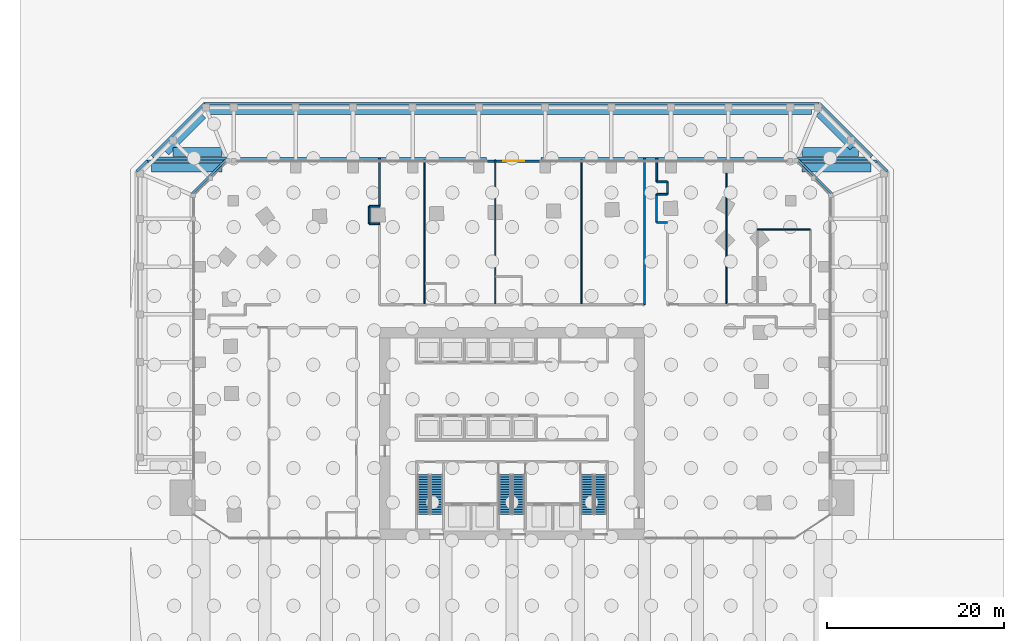
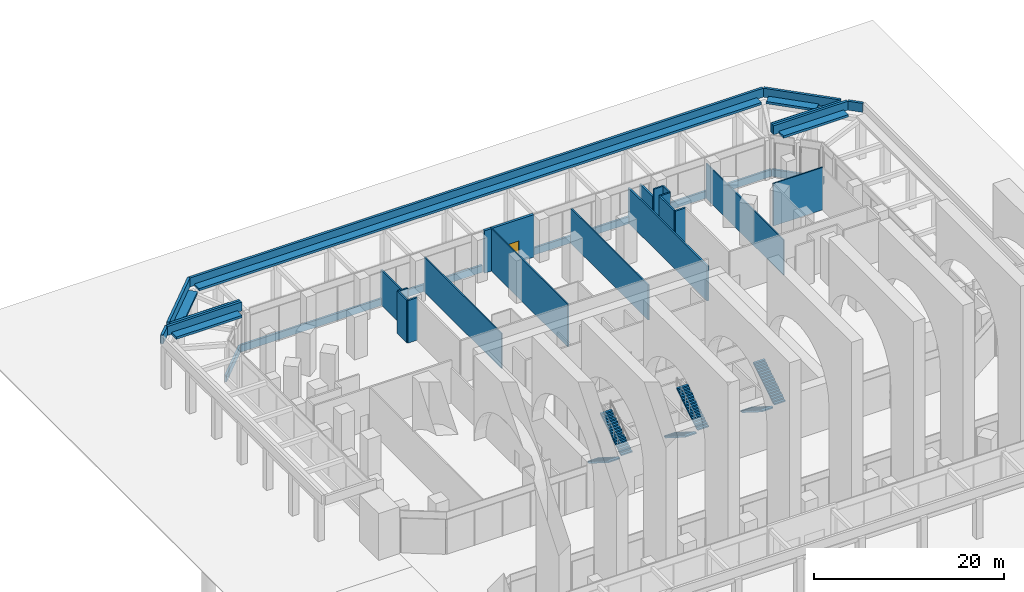
# One storey, part 42 of 46: 37 walls, 6 stair flights, 1 door, 1 opening, 3 elements without a shape of their own.
"""IFC4 building model written with IfcOpenShell, lengths in metres."""

from ifc_helpers import new_model, si_unit, direction, frame, frame_2d, origin, place, context, subcontext, project, spatial, polyline, rectangle, outline, extrude, material, layer, layer_set, type_object, element, fill, aggregate, save


model = new_model("IFC4")

# Units and contexts
model_context = context("Model", 3, precision=1e-05, world=origin(), true_north=direction((0.0, 1.0)))
body_context = subcontext(model_context, "Body", "Model", "MODEL_VIEW")
ifc_project = project(units=[si_unit("LENGTHUNIT", "METRE"), si_unit("AREAUNIT", "SQUARE_METRE"), si_unit("VOLUMEUNIT", "CUBIC_METRE"), si_unit("PLANEANGLEUNIT", "RADIAN"), si_unit("MASSUNIT", "GRAM", prefix="KILO")], contexts=[model_context])

# Site, building, storey
site_placement = place(None, origin())
site = spatial("IfcSite", under=ifc_project, at=site_placement, CompositionType="ELEMENT")
building_placement = place(site_placement, origin())
building = spatial("IfcBuilding", under=site, at=building_placement, Name="Mangrove Gate Tower", CompositionType="ELEMENT")
storey_placement = place(building_placement, origin())
storey = spatial("IfcBuildingStorey", under=building, at=storey_placement, Name="L00", CompositionType="ELEMENT", Elevation=0.0)

# Walls
ifc_material_1 = material(Name="Limestone", Category="masonry")
ifc_layer_1 = layer(ifc_material_1, 0.300048828125, Name="Limestone canopy parapet")
ifc_layer_set_1 = layer_set([ifc_layer_1], Name="Canopy parapet 300 limestone")
wall_type_1 = type_object("IfcWallType", Name="Canopy parapet 300 limestone", PredefinedType="PARAPET", material=ifc_layer_set_1)
wall_1_placement = place(storey_placement, frame((42.506103515625, 29.674072265625, 5.5), z_axis=(0.0, 0.0, 1.0), x_axis=(-0.707183031445, 0.707030522704, 0.0)))
element("IfcWall", 1, at=wall_1_placement, inside=storey, type_object=wall_type_1, Name="Canopy parapet E 0.3", PredefinedType="PARAPET", context=body_context, shape_type="SweptSolid", body=[
    extrude(rectangle(XDim=1.600830078125, YDim=0.300048828125, at=frame_2d((0.80029296875, 0.0))), origin(), (0.0, 0.0, 1.0), 1.14990234375),
])
wall_2_placement = place(storey_placement, frame((41.26806640625, 30.85009765625, 5.5), z_axis=(0.0, 0.0, 1.0), x_axis=(-1.0, 0.0, 0.0)))
element("IfcWall", 2, at=wall_2_placement, inside=storey, type_object=wall_type_1, Name="Canopy parapet E 0.4", PredefinedType="PARAPET", context=body_context, shape_type="SweptSolid", body=[
    extrude(rectangle(XDim=9.0400390625, YDim=0.300048828125, at=frame_2d((4.52001953125, 0.0))), origin(), (0.0, 0.0, 1.0), 1.14990234375),
])
wall_3_placement = place(storey_placement, frame((32.22802734375, 31.14990234375, 5.5), z_axis=(0.0, 0.0, 1.0), x_axis=(1.0, 0.0, 0.0)))
element("IfcWall", 3, at=wall_3_placement, inside=storey, type_object=wall_type_1, Name="Canopy parapet N 0.1", PredefinedType="PARAPET", context=body_context, shape_type="SweptSolid", body=[
    extrude(rectangle(XDim=8.43994140625, YDim=0.300048828125, at=frame_2d((4.219970703125, 0.0))), origin(), (0.0, 0.0, 1.0), 1.14990234375),
])
wall_4_placement = place(storey_placement, frame((40.77392578125, 31.406005859375, 5.5), z_axis=(0.0, 0.0, 1.0), x_axis=(-0.707106781187, 0.707106781187, 0.0)))
element("IfcWall", 4, at=wall_4_placement, inside=storey, type_object=wall_type_1, Name="Canopy parapet N 0.2", PredefinedType="PARAPET", context=body_context, shape_type="SweptSolid", body=[
    extrude(rectangle(XDim=8.34375, YDim=0.300048828125, at=frame_2d((4.171875, 0.0))), origin(), (0.0, 0.0, 1.0), 1.14990234375),
])
wall_5_placement = place(storey_placement, frame((34.76806640625, 37.35009765625, 5.5), z_axis=(0.0, 0.0, 1.0), x_axis=(-1.0, 0.0, 0.0)))
element("IfcWall", 5, at=wall_5_placement, inside=storey, type_object=wall_type_1, Name="Canopy parapet N 0.3", PredefinedType="PARAPET", context=body_context, shape_type="SweptSolid", body=[
    extrude(rectangle(XDim=69.66015625, YDim=0.300048828125, at=frame_2d((34.830078125, 0.0))), origin(), (0.0, 0.0, 1.0), 1.14990234375),
])
wall_6_placement = place(storey_placement, frame((-34.785888671875, 37.39404296875, 5.5), z_axis=(0.0, 0.0, 1.0), x_axis=(-0.707106781187, -0.707106781187, 0.0)))
element("IfcWall", 6, at=wall_6_placement, inside=storey, type_object=wall_type_1, Name="Canopy parapet N 1.1", PredefinedType="PARAPET", context=body_context, shape_type="SweptSolid", body=[
    extrude(rectangle(XDim=8.46826171875, YDim=0.300048828125, at=frame_2d((4.234130859375, 0.0))), origin(), (0.0, 0.0, 1.0), 1.14990234375),
])
wall_7_placement = place(storey_placement, frame((-40.66796875, 31.14990234375, 5.5), z_axis=(0.0, 0.0, 1.0), x_axis=(1.0, 0.0, 0.0)))
element("IfcWall", 7, at=wall_7_placement, inside=storey, type_object=wall_type_1, Name="Canopy parapet N 1.2", PredefinedType="PARAPET", context=body_context, shape_type="SweptSolid", body=[
    extrude(rectangle(XDim=8.43994140625, YDim=0.300048828125, at=frame_2d((4.219970703125, 0.0))), origin(), (0.0, 0.0, 1.0), 1.14990234375),
])
wall_8_placement = place(storey_placement, frame((-32.22802734375, 30.85009765625, 5.5), z_axis=(0.0, 0.0, 1.0), x_axis=(-1.0, 0.0, 0.0)))
element("IfcWall", 8, at=wall_8_placement, inside=storey, type_object=wall_type_1, Name="Canopy parapet W 0.1", PredefinedType="PARAPET", context=body_context, shape_type="SweptSolid", body=[
    extrude(rectangle(XDim=9.1640625, YDim=0.300048828125, at=frame_2d((4.58203125, 0.0))), origin(), (0.0, 0.0, 1.0), 1.14990234375),
])
wall_9_placement = place(storey_placement, frame((-41.285888671875, 30.89404296875, 5.5), z_axis=(0.0, 0.0, 1.0), x_axis=(-0.707177523698, -0.707036031597, 0.0)))
element("IfcWall", 9, at=wall_9_placement, inside=storey, type_object=wall_type_1, Name="Canopy parapet W 1.1", PredefinedType="PARAPET", context=body_context, shape_type="SweptSolid", body=[
    extrude(rectangle(XDim=1.7255859375, YDim=0.300048828125, at=frame_2d((0.86279296875, 0.0))), origin(), (0.0, 0.0, 1.0), 1.14990234375),
])
ifc_material_2 = material(Name="Green roof substrate in aluminium tray", Category="aluminium")
ifc_layer_2 = layer(ifc_material_2, 1.0, Name="Planting bed")
ifc_layer_set_2 = layer_set([ifc_layer_2], Name="Canopy planter bed 1000x300")
wall_type_2 = type_object("IfcWallType", Name="Canopy planter bed 1000x300", PredefinedType="SOLIDWALL", material=ifc_layer_set_2)
wall_10_placement = place(storey_placement, frame((40.66796875, 30.10009765625, 5.5), z_axis=(0.0, 0.0, 1.0), x_axis=(-1.0, 0.0, 0.0)))
element("IfcWall", 10, at=wall_10_placement, inside=storey, type_object=wall_type_2, Name="CANOPY PLANTING E 0.4", PredefinedType="SOLIDWALL", context=body_context, shape_type="SweptSolid", body=[
    extrude(rectangle(XDim=7.840087890625, YDim=1.0, at=frame_2d((3.919921875, 0.0))), origin(), (0.0, 0.0, 1.0), 0.300048828125),
])
wall_11_placement = place(storey_placement, frame((32.827880859375, 31.89990234375, 5.5), z_axis=(0.0, 0.0, 1.0), x_axis=(1.0, 0.0, 0.0)))
element("IfcWall", 11, at=wall_11_placement, inside=storey, type_object=wall_type_2, Name="CANOPY PLANTING N 0.1", PredefinedType="SOLIDWALL", context=body_context, shape_type="SweptSolid", body=[
    extrude(rectangle(XDim=6.39013671875, YDim=1.0, at=frame_2d((3.195068359375, 0.0))), origin(), (0.0, 0.0, 1.0), 0.300048828125),
])
wall_12_placement = place(storey_placement, frame((38.616943359375, 32.501953125, 5.5), z_axis=(0.0, 0.0, 1.0), x_axis=(-0.707084355066, 0.707129206595, 0.0)))
element("IfcWall", 12, at=wall_12_placement, inside=storey, type_object=wall_type_2, Name="CANOPY PLANTING N 0.2", PredefinedType="SOLIDWALL", context=body_context, shape_type="SweptSolid", body=[
    extrude(rectangle(XDim=5.443359375, YDim=1.0, at=frame_2d((2.7216796875, 0.0))), origin(), (0.0, 0.0, 1.0), 0.300048828125),
])
wall_13_placement = place(storey_placement, frame((33.91796875, 36.60009765625, 5.5), z_axis=(0.0, 0.0, 1.0), x_axis=(-1.0, 0.0, 0.0)))
element("IfcWall", 13, at=wall_13_placement, inside=storey, type_object=wall_type_2, Name="CANOPY PLANTING N 0.3", PredefinedType="SOLIDWALL", context=body_context, shape_type="SweptSolid", body=[
    extrude(rectangle(XDim=68.2099609375, YDim=1.0, at=frame_2d((34.10498046875, 0.0))), origin(), (0.0, 0.0, 1.0), 0.300048828125),
])
wall_14_placement = place(storey_placement, frame((-35.032958984375, 36.0859375, 5.5), z_axis=(0.0, 0.0, 1.0), x_axis=(-0.707106781187, -0.707106781187, 0.0)))
element("IfcWall", 14, at=wall_14_placement, inside=storey, type_object=wall_type_2, Name="CANOPY PLANTING N 1.1", PredefinedType="SOLIDWALL", context=body_context, shape_type="SweptSolid", body=[
    extrude(rectangle(XDim=5.91845703125, YDim=1.0, at=frame_2d((2.959228515625, 0.0))), origin(), (0.0, 0.0, 1.0), 0.300048828125),
])
wall_15_placement = place(storey_placement, frame((-38.367919921875, 31.89990234375, 5.5), z_axis=(0.0, 0.0, 1.0), x_axis=(1.0, 0.0, 0.0)))
element("IfcWall", 15, at=wall_15_placement, inside=storey, type_object=wall_type_2, Name="CANOPY PLANTING N 1.2", PredefinedType="SOLIDWALL", context=body_context, shape_type="SweptSolid", body=[
    extrude(rectangle(XDim=5.5400390625, YDim=1.0, at=frame_2d((2.77001953125, 0.0))), origin(), (0.0, 0.0, 1.0), 0.300048828125),
])
wall_16_placement = place(storey_placement, frame((-32.827880859375, 30.10009765625, 5.5), z_axis=(0.0, 0.0, 1.0), x_axis=(-1.0, 0.0, 0.0)))
element("IfcWall", 16, at=wall_16_placement, inside=storey, type_object=wall_type_2, Name="CANOPY PLANTING W 0.1", PredefinedType="SOLIDWALL", context=body_context, shape_type="SweptSolid", body=[
    extrude(rectangle(XDim=7.964111328125, YDim=1.0, at=frame_2d((3.98193359375, 0.0))), origin(), (0.0, 0.0, 1.0), 0.300048828125),
])
ifc_material_3 = material(Name="Gypsum board on steel stud, EI 60", Category="steel")
ifc_layer_3 = layer(ifc_material_3, 0.199951171875)
ifc_layer_set_3 = layer_set([ifc_layer_3], Name="Corridor wall EI 60")
wall_type_3 = type_object("IfcWallType", Name="Corridor wall EI 60", PredefinedType="PARTITIONING", material=ifc_layer_set_3)
wall_17_placement = place(storey_placement, frame((15.0, 14.60009765625, 0.0), z_axis=(0.0, 0.0, 1.0), x_axis=(0.0, 1.0, 0.0)))
element("IfcWall", 17, at=wall_17_placement, inside=storey, type_object=wall_type_3, Name="WALL-L00-023", PredefinedType="PARTITIONING", context=body_context, shape_type="SweptSolid", body=[
    extrude(rectangle(XDim=16.599853515625, YDim=0.199951171875, at=frame_2d((8.2998046875, 0.0))), origin(), (0.0, 0.0, 1.0), 4.489990234375),
])
wall_18_placement = place(storey_placement, frame((-16.14990234375, 23.7490234375, 0.0), z_axis=(0.0, 0.0, 1.0), x_axis=(0.0, 1.0, 0.0)))
element("IfcWall", 18, at=wall_18_placement, inside=storey, type_object=wall_type_3, Name="WALL-L00-032", PredefinedType="PARTITIONING", context=body_context, shape_type="SweptSolid", body=[
    extrude(rectangle(XDim=2.0, YDim=0.199951171875, at=frame_2d((1.0, 0.0))), origin(), (0.0, 0.0, 1.0), 5.449951171875),
])
wall_19_placement = place(storey_placement, frame((-16.153076171875, 23.75, 0.0), z_axis=(0.0, 0.0, 1.0), x_axis=(1.0, 0.0, 0.0)))
element("IfcWall", 19, at=wall_19_placement, inside=storey, type_object=wall_type_3, Name="WALL-L00-033", PredefinedType="PARTITIONING", context=body_context, shape_type="SweptSolid", body=[
    extrude(rectangle(XDim=1.153076171875, YDim=0.199951171875, at=frame_2d((0.57666015625, 0.0))), origin(), (0.0, 0.0, 1.0), 5.449951171875),
])
wall_20_placement = place(storey_placement, frame((16.364013671875, 23.89990234375, 0.0), z_axis=(0.0, 0.0, 1.0), x_axis=(1.0, 0.0, 0.0)))
element("IfcWall", 20, at=wall_20_placement, inside=storey, type_object=wall_type_3, Name="WALL-L00-034", PredefinedType="PARTITIONING", context=body_context, shape_type="SweptSolid", body=[
    extrude(rectangle(XDim=1.236083984375, YDim=0.199951171875, at=frame_2d((0.6181640625, 0.0))), origin(), (0.0, 0.0, 1.0), 5.449951171875),
])
wall_21_placement = place(storey_placement, frame((16.360107421875, 23.90087890625, 0.0), z_axis=(0.0, 0.0, 1.0), x_axis=(0.0, 1.0, 0.0)))
element("IfcWall", 21, at=wall_21_placement, inside=storey, type_object=wall_type_3, Name="WALL-L00-035", PredefinedType="PARTITIONING", context=body_context, shape_type="SweptSolid", body=[
    extrude(rectangle(XDim=3.2001953125, YDim=0.199951171875, at=frame_2d((1.60009765625, 0.0))), origin(), (0.0, 0.0, 1.0), 5.449951171875),
])
wall_22_placement = place(storey_placement, frame((-15.0, 25.7490234375, 0.0), z_axis=(0.0, 0.0, 1.0), x_axis=(0.0, 1.0, 0.0)))
element("IfcWall", 22, at=wall_22_placement, inside=storey, type_object=wall_type_3, Name="WALL-L00-036", PredefinedType="PARTITIONING", context=body_context, shape_type="SweptSolid", body=[
    extrude(rectangle(XDim=5.450927734375, YDim=0.199951171875, at=frame_2d((2.7255859375, 0.0))), origin(), (0.0, 0.0, 1.0), 4.489990234375),
])
wall_23_placement = place(storey_placement, frame((-16.153076171875, 25.75, 0.0), z_axis=(0.0, 0.0, 1.0), x_axis=(1.0, 0.0, 0.0)))
element("IfcWall", 23, at=wall_23_placement, inside=storey, type_object=wall_type_3, Name="WALL-L00-037", PredefinedType="PARTITIONING", context=body_context, shape_type="SweptSolid", body=[
    extrude(rectangle(XDim=1.153076171875, YDim=0.199951171875, at=frame_2d((0.57666015625, 0.0))), origin(), (0.0, 0.0, 1.0), 5.449951171875),
])
wall_24_placement = place(storey_placement, frame((16.364013671875, 27.10009765625, 0.0), z_axis=(0.0, 0.0, 1.0), x_axis=(1.0, 0.0, 0.0)))
element("IfcWall", 24, at=wall_24_placement, inside=storey, type_object=wall_type_3, Name="WALL-L00-038", PredefinedType="PARTITIONING", context=body_context, shape_type="SweptSolid", body=[
    extrude(rectangle(XDim=1.236083984375, YDim=0.199951171875, at=frame_2d((0.6181640625, 0.0))), origin(), (0.0, 0.0, 1.0), 5.449951171875),
])
wall_25_placement = place(storey_placement, frame((17.60009765625, 27.10107421875, 0.0), z_axis=(0.0, 0.0, 1.0), x_axis=(0.0, 1.0, 0.0)))
element("IfcWall", 25, at=wall_25_placement, inside=storey, type_object=wall_type_3, Name="WALL-L00-039", PredefinedType="PARTITIONING", context=body_context, shape_type="SweptSolid", body=[
    extrude(rectangle(XDim=1.39892578125, YDim=0.199951171875, at=frame_2d((0.699462890625, 0.0))), origin(), (0.0, 0.0, 1.0), 5.449951171875),
])
wall_26_placement = place(storey_placement, frame((16.39990234375, 28.5, 0.0), z_axis=(0.0, 0.0, 1.0), x_axis=(1.0, 0.0, 0.0)))
element("IfcWall", 26, at=wall_26_placement, inside=storey, type_object=wall_type_3, Name="WALL-L00-040", PredefinedType="PARTITIONING", context=body_context, shape_type="SweptSolid", body=[
    extrude(rectangle(XDim=1.2001953125, YDim=0.199951171875, at=frame_2d((0.60009765625, 0.0))), origin(), (0.0, 0.0, 1.0), 5.449951171875),
])
wall_27_placement = place(storey_placement, frame((16.39990234375, 28.5, 0.0), z_axis=(0.0, 0.0, 1.0), x_axis=(0.0, 1.0, 0.0)))
element("IfcWall", 27, at=wall_27_placement, inside=storey, type_object=wall_type_3, Name="WALL-L00-041", PredefinedType="PARTITIONING", context=body_context, shape_type="SweptSolid", body=[
    extrude(rectangle(XDim=2.699951171875, YDim=0.199951171875, at=frame_2d((1.35009765625, 0.0))), origin(), (0.0, 0.0, 1.0), 4.489990234375),
])

# Wall, opening, door
ifc_layer_4 = layer(ifc_material_1, 0.0400390625, Name="Limestone cladding")
ifc_material_4 = material(Name="Ventilated air gap")
ifc_layer_5 = layer(ifc_material_4, 0.0400390625, Name="Ventilated cavity")
ifc_material_5 = material(Name="Mineral wool insulation")
ifc_layer_6 = layer(ifc_material_5, 0.06005859375, Name="Insulation")
ifc_material_6 = material(Name="Breather membrane")
ifc_layer_7 = layer(ifc_material_6, 0.001953125, Name="Breather membrane")
ifc_material_7 = material(Name="Concrete C20/25 blockwork", Category="masonry")
ifc_layer_8 = layer(ifc_material_7, 0.14990234375, Name="Blockwork backing wall")
ifc_material_8 = material(Name="Gypsum plaster")
ifc_layer_9 = layer(ifc_material_8, 0.008056640625, Name="Internal plaster")
ifc_layer_set_4 = layer_set([ifc_layer_4, ifc_layer_5, ifc_layer_6, ifc_layer_7, ifc_layer_8, ifc_layer_9], Name="External wall 300 limestone cladding")
wall_type_4 = type_object("IfcWallType", Name="External wall 300 limestone cladding", PredefinedType="SOLIDWALL", material=ifc_layer_set_4)
wall_28_placement = place(storey_placement, frame((3.199951171875, 30.85009765625, 0.0), z_axis=(0.0, 0.0, 1.0), x_axis=(-1.0, 0.0, 0.0)))
wall_28 = element("IfcWall", 28, at=wall_28_placement, inside=storey, type_object=wall_type_4, Name="WALL-L00-N12e", PredefinedType="SOLIDWALL", context=body_context, shape_type="SweptSolid", body=[
    extrude(rectangle(XDim=6.0, YDim=0.300048828125, at=frame_2d((3.0, 0.0))), origin(), (0.0, 0.0, 1.0), 5.449951171875),
])
opening_placement = place(wall_28_placement, frame((1.800048828125, 0.0, 0.0)))
opening = element("IfcOpeningElement", 29, at=opening_placement, cuts=wall_28, Name="Opening ED1", PredefinedType="OPENING", context=body_context, shape_type="SweptSolid", body=[
    extrude(rectangle(XDim=2.39990234375, YDim=2.699951171875, at=frame_2d((1.199951171875, 1.35009765625))), frame((0.0, 0.159912109375, 0.0), z_axis=(0.0, -1.0, 0.0), x_axis=(1.0, 0.0, 0.0)), (0.0, 0.0, 1.0), 0.320068359375),
])
ifc_material_9 = material(Name="Aluminium frame with toughened clear glass", Category="aluminium")
door_type = type_object("IfcDoorType", Name="Entrance door 2400x2700", OperationType="DOUBLE_DOOR_DOUBLE_SWING", PredefinedType="DOOR", material=ifc_material_9)
door_placement = place(opening_placement, origin())
door = element("IfcDoor", 30, at=door_placement, inside=storey, type_object=door_type, Name="DOOR-L00-N12-1", OperationType="DOUBLE_DOOR_DOUBLE_SWING", OverallHeight=2.699951171875, OverallWidth=2.39990234375, PredefinedType="DOOR", context=body_context, shape_type="SweptSolid", body=[
    extrude(rectangle(XDim=2.39990234375, YDim=2.699951171875, at=frame_2d((1.199951171875, 1.35009765625))), frame((0.0, 0.02490234375, 0.0), z_axis=(0.0, -1.0, 0.0), x_axis=(1.0, 0.0, 0.0)), (0.0, 0.0, 1.0), 0.050048828125),
])
fill(opening, door)

# Walls
ifc_material_10 = material(Name="Gypsum board on steel stud, EI 60", Category="steel")
ifc_layer_10 = layer(ifc_material_10, 0.14990234375)
ifc_layer_set_5 = layer_set([ifc_layer_10], Name="Party wall 150 EI 60")
wall_type_5 = type_object("IfcWallType", Name="Party wall 150 EI 60", PredefinedType="PARTITIONING", material=ifc_layer_set_5)
wall_29_placement = place(storey_placement, frame((-9.909912109375, 14.699951171875, 0.0), z_axis=(0.0, 0.0, 1.0), x_axis=(0.0, 1.0, 0.0)))
element("IfcWall", 31, at=wall_29_placement, inside=storey, type_object=wall_type_5, Name="WALL-L00-018", PredefinedType="PARTITIONING", context=body_context, shape_type="SweptSolid", body=[
    extrude(rectangle(XDim=16.300048828125, YDim=0.14990234375, at=frame_2d((8.14990234375, 0.0))), origin(), (0.0, 0.0, 1.0), 4.489990234375),
])
wall_30_placement = place(storey_placement, frame((-1.89990234375, 14.699951171875, 0.0), z_axis=(0.0, 0.0, 1.0), x_axis=(0.0, 1.0, 0.0)))
element("IfcWall", 32, at=wall_30_placement, inside=storey, type_object=wall_type_5, Name="WALL-L00-020", PredefinedType="PARTITIONING", context=body_context, shape_type="SweptSolid", body=[
    extrude(rectangle(XDim=16.300048828125, YDim=0.14990234375, at=frame_2d((8.14990234375, 0.0))), origin(), (0.0, 0.0, 1.0), 5.449951171875),
])
for number, where, z_axis, x_axis, name in (
    (33, (7.8701171875, 14.699951171875, 0.0), (0.0, 0.0, 1.0), (0.0, 1.0, 0.0), "WALL-L00-022"),
    (34, (24.2900390625, 14.699951171875, 0.0), (0.0, 0.0, 1.0), (0.0, 1.0, 0.0), "WALL-L00-026"),
):
    element("IfcWall", number, at=place(storey_placement, frame(where, z_axis=z_axis, x_axis=x_axis)), inside=storey, type_object=wall_type_5, Name=name, PredefinedType="PARTITIONING", context=body_context, shape_type="SweptSolid", body=[
        extrude(rectangle(XDim=16.300048828125, YDim=0.14990234375, at=frame_2d((8.14990234375, 0.0))), origin(), (0.0, 0.0, 1.0), 4.489990234375),
    ])
wall_31_placement = place(storey_placement, frame((27.7900390625, 23.10009765625, 0.0), z_axis=(0.0, 0.0, 1.0), x_axis=(1.0, 0.0, 0.0)))
element("IfcWall", 35, at=wall_31_placement, inside=storey, type_object=wall_type_5, Name="WALL-L00-031", PredefinedType="PARTITIONING", context=body_context, shape_type="SweptSolid", body=[
    extrude(rectangle(XDim=6.0, YDim=0.14990234375, at=frame_2d((3.0, 0.0))), origin(), (0.0, 0.0, 1.0), 5.449951171875),
])
ifc_layer_11 = layer(ifc_material_1, 0.25, Name="Limestone plinth course")
ifc_layer_set_6 = layer_set([ifc_layer_11], Name="Podium plinth 250 limestone")
wall_type_6 = type_object("IfcWallType", Name="Podium plinth 250 limestone", PredefinedType="STANDARD", material=ifc_layer_set_6)
wall_32_placement = place(storey_placement, frame((36.2880859375, 27.087890625, 0.0), z_axis=(0.0, 0.0, 1.0), x_axis=(-0.707106781187, 0.707106781187, 0.0)))
element("IfcWall", 36, at=wall_32_placement, inside=storey, type_object=wall_type_6, Name="Podium plinth E 3", PredefinedType="STANDARD", context=body_context, shape_type="SweptSolid", body=[
    extrude(rectangle(XDim=5.65673828125, YDim=0.25, at=frame_2d((2.828369140625, 0.0))), origin(), (0.0, 0.0, 1.0), 0.89990234375),
])
wall_33_placement = place(storey_placement, frame((32.199951171875, 31.125, 0.0), z_axis=(0.0, 0.0, 1.0), x_axis=(-1.0, 0.0, 0.0)))
element("IfcWall", 37, at=wall_33_placement, inside=storey, type_object=wall_type_6, Name="Podium plinth N 1", PredefinedType="STANDARD", context=body_context, shape_type="SweptSolid", body=[
    extrude(rectangle(XDim=28.89990234375, YDim=0.25, at=frame_2d((14.449951171875, 0.0))), origin(), (0.0, 0.0, 1.0), 0.89990234375),
])
wall_34_placement = place(storey_placement, frame((-2.89990234375, 31.125, 0.0), z_axis=(0.0, 0.0, 1.0), x_axis=(-1.0, 0.0, 0.0)))
element("IfcWall", 38, at=wall_34_placement, inside=storey, type_object=wall_type_6, Name="Podium plinth N 2", PredefinedType="STANDARD", context=body_context, shape_type="SweptSolid", body=[
    extrude(rectangle(XDim=29.300048828125, YDim=0.25, at=frame_2d((14.64990234375, 0.0))), origin(), (0.0, 0.0, 1.0), 0.89990234375),
])
wall_35_placement = place(storey_placement, frame((-32.2880859375, 31.087890625, 0.0), z_axis=(0.0, 0.0, 1.0), x_axis=(-0.707106781187, -0.707106781187, 0.0)))
element("IfcWall", 39, at=wall_35_placement, inside=storey, type_object=wall_type_6, Name="Podium plinth N 3", PredefinedType="STANDARD", context=body_context, shape_type="SweptSolid", body=[
    extrude(rectangle(XDim=5.65673828125, YDim=0.25, at=frame_2d((2.828369140625, 0.0))), origin(), (0.0, 0.0, 1.0), 0.89990234375),
])

# Stair, stair flights
ifc_material_11 = material(Name="Concrete C40/50", Category="concrete")
stair_type = type_object("IfcStairType", Name="Core stair 1350", PredefinedType="HALF_TURN_STAIR", material=ifc_material_11)
stair_1_placement = place(storey_placement, origin())
stair_1 = element("IfcStair", 40, at=stair_1_placement, inside=storey, type_object=stair_type, Name="L00 Stair 1", PredefinedType="HALF_TURN_STAIR")
ifc_material_12 = material(Name="Concrete C40/50", Category="concrete")
stair_flight_type = type_object("IfcStairFlightType", Name="Core stair flight 1350", PredefinedType="STRAIGHT", material=ifc_material_12)
stair_flight_1_placement = place(storey_placement, frame((-10.02490234375, -4.64990234375, 0.0), z_axis=(0.0, 0.0, 1.0), x_axis=(0.0, -1.0, 0.0)))
stair_flight_1 = element("IfcStairFlight", 41, at=stair_flight_1_placement, type_object=stair_flight_type, Name="ST1 flight 1", NumberOfRisers=17, NumberOfTreads=16, PredefinedType="STRAIGHT", RiserHeight=0.176470588, TreadLength=0.28, context=body_context, shape_type="SweptSolid", body=[
    extrude(outline(polyline([(0.0, 0.0), (0.0, 0.176513671875), (0.280029296875, 0.176513671875), (0.280029296875, 0.35302734375), (0.56005859375, 0.35302734375), (0.56005859375, 0.529296875), (0.840087890625, 0.529296875), (0.840087890625, 0.705810546875), (1.1201171875, 0.705810546875), (1.1201171875, 0.88232421875), (1.39990234375, 0.88232421875), (1.39990234375, 1.058837890625), (1.679931640625, 1.058837890625), (1.679931640625, 1.2353515625), (1.9599609375, 1.2353515625), (1.9599609375, 1.411865234375), (2.239990234375, 1.411865234375), (2.239990234375, 1.588134765625), (2.52001953125, 1.588134765625), (2.52001953125, 1.7646484375), (2.800048828125, 1.7646484375), (2.800048828125, 1.941162109375), (3.080078125, 1.941162109375), (3.080078125, 2.11767578125), (3.360107421875, 2.11767578125), (3.360107421875, 2.294189453125), (3.639892578125, 2.294189453125), (3.639892578125, 2.470703125), (3.919921875, 2.470703125), (3.919921875, 2.64697265625), (4.199951171875, 2.64697265625), (4.199951171875, 2.823486328125), (4.47998046875, 2.823486328125), (4.47998046875, 3.0), (4.47998046875, 2.646240234375), (0.28125, 0.0), (0.0, 0.0)])), frame((0.0, 0.675048828125, 0.0), z_axis=(0.0, -1.0, 0.0), x_axis=(1.0, 0.0, 0.0)), (0.0, 0.0, 1.0), 1.35009765625),
])
stair_flight_2_placement = place(storey_placement, frame((-8.52490234375, -9.1298828125, 3.0), z_axis=(0.0, 0.0, 1.0), x_axis=(0.0, 1.0, 0.0)))
stair_flight_2 = element("IfcStairFlight", 42, at=stair_flight_2_placement, type_object=stair_flight_type, Name="ST1 flight 2", NumberOfRisers=17, NumberOfTreads=16, PredefinedType="STRAIGHT", RiserHeight=0.176470588, TreadLength=0.28, context=body_context, shape_type="SweptSolid", body=[
    extrude(outline(polyline([(0.0, 0.0), (0.0, 0.176513671875), (0.280029296875, 0.176513671875), (0.280029296875, 0.35302734375), (0.56005859375, 0.35302734375), (0.56005859375, 0.529296875), (0.840087890625, 0.529296875), (0.840087890625, 0.705810546875), (1.1201171875, 0.705810546875), (1.1201171875, 0.88232421875), (1.39990234375, 0.88232421875), (1.39990234375, 1.058837890625), (1.679931640625, 1.058837890625), (1.679931640625, 1.2353515625), (1.9599609375, 1.2353515625), (1.9599609375, 1.411865234375), (2.239990234375, 1.411865234375), (2.239990234375, 1.588134765625), (2.52001953125, 1.588134765625), (2.52001953125, 1.7646484375), (2.800048828125, 1.7646484375), (2.800048828125, 1.941162109375), (3.080078125, 1.941162109375), (3.080078125, 2.11767578125), (3.360107421875, 2.11767578125), (3.360107421875, 2.294189453125), (3.639892578125, 2.294189453125), (3.639892578125, 2.470703125), (3.919921875, 2.470703125), (3.919921875, 2.64697265625), (4.199951171875, 2.64697265625), (4.199951171875, 2.823486328125), (4.47998046875, 2.823486328125), (4.47998046875, 3.0), (4.47998046875, 2.646240234375), (0.28125, 0.0), (0.0, 0.0)])), frame((0.0, 0.675048828125, 0.0), z_axis=(0.0, -1.0, 0.0), x_axis=(1.0, 0.0, 0.0)), (0.0, 0.0, 1.0), 1.35009765625),
])
aggregate(stair_1, [stair_flight_1, stair_flight_2])

stair_2_placement = place(storey_placement, origin())
stair_2 = element("IfcStair", 43, at=stair_2_placement, inside=storey, type_object=stair_type, Name="L00 Stair 2", PredefinedType="HALF_TURN_STAIR")
stair_flight_3_placement = place(storey_placement, frame((-0.77490234375, -4.64990234375, 0.0), z_axis=(0.0, 0.0, 1.0), x_axis=(0.0, -1.0, 0.0)))
stair_flight_3 = element("IfcStairFlight", 44, at=stair_flight_3_placement, type_object=stair_flight_type, Name="ST2 flight 1", NumberOfRisers=17, NumberOfTreads=16, PredefinedType="STRAIGHT", RiserHeight=0.176470588, TreadLength=0.28, context=body_context, shape_type="SweptSolid", body=[
    extrude(outline(polyline([(0.0, 0.0), (0.0, 0.176513671875), (0.280029296875, 0.176513671875), (0.280029296875, 0.35302734375), (0.56005859375, 0.35302734375), (0.56005859375, 0.529296875), (0.840087890625, 0.529296875), (0.840087890625, 0.705810546875), (1.1201171875, 0.705810546875), (1.1201171875, 0.88232421875), (1.39990234375, 0.88232421875), (1.39990234375, 1.058837890625), (1.679931640625, 1.058837890625), (1.679931640625, 1.2353515625), (1.9599609375, 1.2353515625), (1.9599609375, 1.411865234375), (2.239990234375, 1.411865234375), (2.239990234375, 1.588134765625), (2.52001953125, 1.588134765625), (2.52001953125, 1.7646484375), (2.800048828125, 1.7646484375), (2.800048828125, 1.941162109375), (3.080078125, 1.941162109375), (3.080078125, 2.11767578125), (3.360107421875, 2.11767578125), (3.360107421875, 2.294189453125), (3.639892578125, 2.294189453125), (3.639892578125, 2.470703125), (3.919921875, 2.470703125), (3.919921875, 2.64697265625), (4.199951171875, 2.64697265625), (4.199951171875, 2.823486328125), (4.47998046875, 2.823486328125), (4.47998046875, 3.0), (4.47998046875, 2.646240234375), (0.28125, 0.0), (0.0, 0.0)])), frame((0.0, 0.675048828125, 0.0), z_axis=(0.0, -1.0, 0.0), x_axis=(1.0, 0.0, 0.0)), (0.0, 0.0, 1.0), 1.35009765625),
])
stair_flight_4_placement = place(storey_placement, frame((0.72509765625, -9.1298828125, 3.0), z_axis=(0.0, 0.0, 1.0), x_axis=(0.0, 1.0, 0.0)))
stair_flight_4 = element("IfcStairFlight", 45, at=stair_flight_4_placement, type_object=stair_flight_type, Name="ST2 flight 2", NumberOfRisers=17, NumberOfTreads=16, PredefinedType="STRAIGHT", RiserHeight=0.176470588, TreadLength=0.28, context=body_context, shape_type="SweptSolid", body=[
    extrude(outline(polyline([(0.0, 0.0), (0.0, 0.176513671875), (0.280029296875, 0.176513671875), (0.280029296875, 0.35302734375), (0.56005859375, 0.35302734375), (0.56005859375, 0.529296875), (0.840087890625, 0.529296875), (0.840087890625, 0.705810546875), (1.1201171875, 0.705810546875), (1.1201171875, 0.88232421875), (1.39990234375, 0.88232421875), (1.39990234375, 1.058837890625), (1.679931640625, 1.058837890625), (1.679931640625, 1.2353515625), (1.9599609375, 1.2353515625), (1.9599609375, 1.411865234375), (2.239990234375, 1.411865234375), (2.239990234375, 1.588134765625), (2.52001953125, 1.588134765625), (2.52001953125, 1.7646484375), (2.800048828125, 1.7646484375), (2.800048828125, 1.941162109375), (3.080078125, 1.941162109375), (3.080078125, 2.11767578125), (3.360107421875, 2.11767578125), (3.360107421875, 2.294189453125), (3.639892578125, 2.294189453125), (3.639892578125, 2.470703125), (3.919921875, 2.470703125), (3.919921875, 2.64697265625), (4.199951171875, 2.64697265625), (4.199951171875, 2.823486328125), (4.47998046875, 2.823486328125), (4.47998046875, 3.0), (4.47998046875, 2.646240234375), (0.28125, 0.0), (0.0, 0.0)])), frame((0.0, 0.675048828125, 0.0), z_axis=(0.0, -1.0, 0.0), x_axis=(1.0, 0.0, 0.0)), (0.0, 0.0, 1.0), 1.35009765625),
])
aggregate(stair_2, [stair_flight_3, stair_flight_4])

stair_3_placement = place(storey_placement, origin())
stair_3 = element("IfcStair", 46, at=stair_3_placement, inside=storey, type_object=stair_type, Name="L00 Stair 3", PredefinedType="HALF_TURN_STAIR")
stair_flight_5_placement = place(storey_placement, frame((8.52490234375, -4.64990234375, 0.0), z_axis=(0.0, 0.0, 1.0), x_axis=(0.0, -1.0, 0.0)))
stair_flight_5 = element("IfcStairFlight", 47, at=stair_flight_5_placement, type_object=stair_flight_type, Name="ST3 flight 1", NumberOfRisers=17, NumberOfTreads=16, PredefinedType="STRAIGHT", RiserHeight=0.176470588, TreadLength=0.28, context=body_context, shape_type="SweptSolid", body=[
    extrude(outline(polyline([(0.0, 0.0), (0.0, 0.176513671875), (0.280029296875, 0.176513671875), (0.280029296875, 0.35302734375), (0.56005859375, 0.35302734375), (0.56005859375, 0.529296875), (0.840087890625, 0.529296875), (0.840087890625, 0.705810546875), (1.1201171875, 0.705810546875), (1.1201171875, 0.88232421875), (1.39990234375, 0.88232421875), (1.39990234375, 1.058837890625), (1.679931640625, 1.058837890625), (1.679931640625, 1.2353515625), (1.9599609375, 1.2353515625), (1.9599609375, 1.411865234375), (2.239990234375, 1.411865234375), (2.239990234375, 1.588134765625), (2.52001953125, 1.588134765625), (2.52001953125, 1.7646484375), (2.800048828125, 1.7646484375), (2.800048828125, 1.941162109375), (3.080078125, 1.941162109375), (3.080078125, 2.11767578125), (3.360107421875, 2.11767578125), (3.360107421875, 2.294189453125), (3.639892578125, 2.294189453125), (3.639892578125, 2.470703125), (3.919921875, 2.470703125), (3.919921875, 2.64697265625), (4.199951171875, 2.64697265625), (4.199951171875, 2.823486328125), (4.47998046875, 2.823486328125), (4.47998046875, 3.0), (4.47998046875, 2.646240234375), (0.28125, 0.0), (0.0, 0.0)])), frame((0.0, 0.675048828125, 0.0), z_axis=(0.0, -1.0, 0.0), x_axis=(1.0, 0.0, 0.0)), (0.0, 0.0, 1.0), 1.35009765625),
])
stair_flight_6_placement = place(storey_placement, frame((10.02490234375, -9.1298828125, 3.0), z_axis=(0.0, 0.0, 1.0), x_axis=(0.0, 1.0, 0.0)))
stair_flight_6 = element("IfcStairFlight", 48, at=stair_flight_6_placement, type_object=stair_flight_type, Name="ST3 flight 2", NumberOfRisers=17, NumberOfTreads=16, PredefinedType="STRAIGHT", RiserHeight=0.176470588, TreadLength=0.28, context=body_context, shape_type="SweptSolid", body=[
    extrude(outline(polyline([(0.0, 0.0), (0.0, 0.176513671875), (0.280029296875, 0.176513671875), (0.280029296875, 0.35302734375), (0.56005859375, 0.35302734375), (0.56005859375, 0.529296875), (0.840087890625, 0.529296875), (0.840087890625, 0.705810546875), (1.1201171875, 0.705810546875), (1.1201171875, 0.88232421875), (1.39990234375, 0.88232421875), (1.39990234375, 1.058837890625), (1.679931640625, 1.058837890625), (1.679931640625, 1.2353515625), (1.9599609375, 1.2353515625), (1.9599609375, 1.411865234375), (2.239990234375, 1.411865234375), (2.239990234375, 1.588134765625), (2.52001953125, 1.588134765625), (2.52001953125, 1.7646484375), (2.800048828125, 1.7646484375), (2.800048828125, 1.941162109375), (3.080078125, 1.941162109375), (3.080078125, 2.11767578125), (3.360107421875, 2.11767578125), (3.360107421875, 2.294189453125), (3.639892578125, 2.294189453125), (3.639892578125, 2.470703125), (3.919921875, 2.470703125), (3.919921875, 2.64697265625), (4.199951171875, 2.64697265625), (4.199951171875, 2.823486328125), (4.47998046875, 2.823486328125), (4.47998046875, 3.0), (4.47998046875, 2.646240234375), (0.28125, 0.0), (0.0, 0.0)])), frame((0.0, 0.675048828125, 0.0), z_axis=(0.0, -1.0, 0.0), x_axis=(1.0, 0.0, 0.0)), (0.0, 0.0, 1.0), 1.35009765625),
])
aggregate(stair_3, [stair_flight_5, stair_flight_6])

save(model, "model.ifc")
